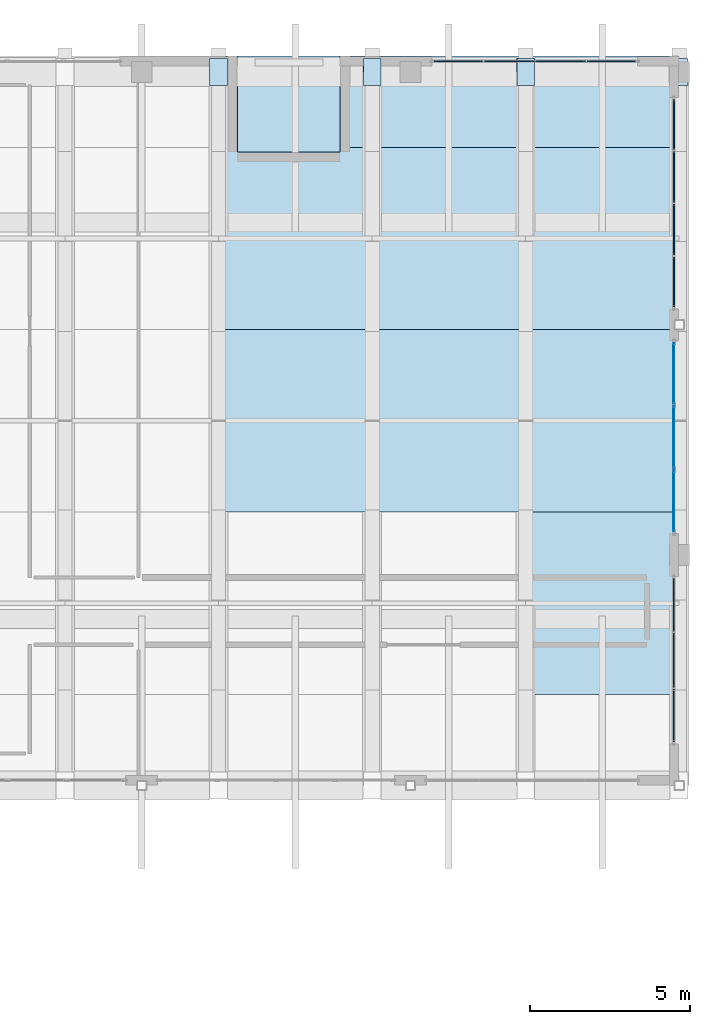
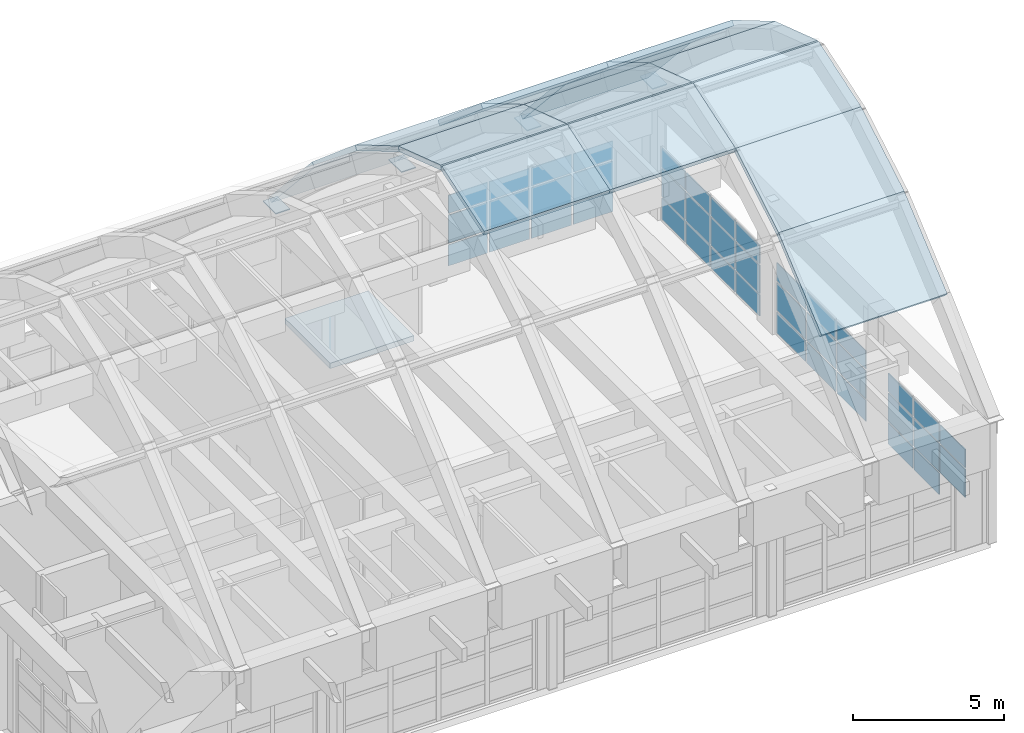
# One storey, part 60 of 78: 45 plates, 18 slabs, 4 elements without a shape of their own.
"""IFC4 building model written with IfcOpenShell, lengths in metres."""

from ifc_helpers import new_model, si_unit, direction, frame, origin, origin_2d, place, context, subcontext, project, spatial, polyline, rectangle, outline, extrude, material, layer, layer_set, type_object, element, aggregate, save


model = new_model("IFC4")

# Units and contexts
model_context = context("Model", 3, precision=1e-05, world=origin(), true_north=direction((0.0, 1.0)))
body_context = subcontext(model_context, "Body", "Model", "MODEL_VIEW")
ifc_project = project(units=[si_unit("LENGTHUNIT", "METRE"), si_unit("AREAUNIT", "SQUARE_METRE"), si_unit("VOLUMEUNIT", "CUBIC_METRE"), si_unit("PLANEANGLEUNIT", "RADIAN"), si_unit("MASSUNIT", "GRAM", prefix="KILO")], contexts=[model_context])

# Site, building, storey
site_placement = place(None, origin())
site = spatial("IfcSite", under=ifc_project, at=site_placement, CompositionType="ELEMENT")
building_placement = place(site_placement, origin())
building = spatial("IfcBuilding", under=site, at=building_placement, Name="Quendrovan Civic Courthouse", CompositionType="ELEMENT")
storey_placement = place(building_placement, frame((0.0, 0.0, 20.39990234375)))
storey = spatial("IfcBuildingStorey", under=building, at=storey_placement, Name="L05", CompositionType="ELEMENT", Elevation=20.39990234375)

# Curtain wall, plates
ifc_material_1 = material(Name="Bronze anodised aluminium and low-E glass", Category="aluminium")
ifc_layer_1 = layer(ifc_material_1, 0.179931640625, Name="Bronze anodised aluminium and low-E glass")
ifc_layer_set_1 = layer_set([ifc_layer_1], Name="Bronze anodised aluminium and low-E glass")
curtain_wall_type_1 = type_object("IfcCurtainWallType", Name="CW-U60x30", PredefinedType="USERDEFINED", material=ifc_layer_set_1)
curtain_wall_1_placement = place(storey_placement, origin())
curtain_wall_1 = element("IfcCurtainWall", 1, at=curtain_wall_1_placement, inside=storey, type_object=curtain_wall_type_1, Name="L05 Unitised Hurricane Curtain Wall CW-196", ObjectType="UNITISED CURTAIN WALL", PredefinedType="USERDEFINED")
ifc_material_2 = material(Name="Laminated hurricane-impact low-E glass", Category="glass")
ifc_layer_2 = layer(ifc_material_2, 0.028076171875, Name="Laminated hurricane-impact low-E glass")
ifc_layer_set_2 = layer_set([ifc_layer_2], Name="Laminated hurricane-impact low-E glass")
plate_type_1 = type_object("IfcPlateType", Name="CW-PNL-1", PredefinedType="CURTAIN_PANEL", material=ifc_layer_set_2)
plate_1_placement = place(storey_placement, frame((142.635009765625, 100.478271484375, 0.0703125), z_axis=(0.0, 0.0, 1.0), x_axis=(0.0, -1.0, 0.0)))
plate_1 = element("IfcPlate", 2, at=plate_1_placement, type_object=plate_type_1, Name="CW-196 panel 1.1", PredefinedType="CURTAIN_PANEL", context=body_context, shape_type="SweptSolid", body=[
    extrude(rectangle(XDim=1.9033203125, YDim=0.028076171875, at=origin_2d()), origin(), (0.0, 0.0, 1.0), 0.844970703125),
])
plate_2_placement = place(storey_placement, frame((142.635009765625, 100.478271484375, 0.985107421875), z_axis=(0.0, 0.0, 1.0), x_axis=(0.0, -1.0, 0.0)))
plate_2 = element("IfcPlate", 3, at=plate_2_placement, type_object=plate_type_1, Name="CW-196 panel 1.2", PredefinedType="CURTAIN_PANEL", context=body_context, shape_type="SweptSolid", body=[
    extrude(rectangle(XDim=1.9033203125, YDim=0.028076171875, at=origin_2d()), origin(), (0.0, 0.0, 1.0), 1.1298828125),
])
plate_3_placement = place(storey_placement, frame((142.635009765625, 100.478271484375, 2.18505859375), z_axis=(0.0, 0.0, 1.0), x_axis=(0.0, -1.0, 0.0)))
plate_3 = element("IfcPlate", 4, at=plate_3_placement, type_object=plate_type_1, Name="CW-196 panel 1.3", PredefinedType="CURTAIN_PANEL", context=body_context, shape_type="SweptSolid", body=[
    extrude(rectangle(XDim=1.9033203125, YDim=0.028076171875, at=origin_2d()), origin(), (0.0, 0.0, 1.0), 0.735107421875),
])
plate_4_placement = place(storey_placement, frame((142.635009765625, 98.487548828125, 0.0703125), z_axis=(0.0, 0.0, 1.0), x_axis=(0.0, -1.0, 0.0)))
plate_4 = element("IfcPlate", 5, at=plate_4_placement, type_object=plate_type_1, Name="CW-196 panel 2.1", PredefinedType="CURTAIN_PANEL", context=body_context, shape_type="SweptSolid", body=[
    extrude(rectangle(XDim=1.938232421875, YDim=0.028076171875, at=origin_2d()), origin(), (0.0, 0.0, 1.0), 0.844970703125),
])
plate_5_placement = place(storey_placement, frame((142.635009765625, 98.487548828125, 0.985107421875), z_axis=(0.0, 0.0, 1.0), x_axis=(0.0, -1.0, 0.0)))
plate_5 = element("IfcPlate", 6, at=plate_5_placement, type_object=plate_type_1, Name="CW-196 panel 2.2", PredefinedType="CURTAIN_PANEL", context=body_context, shape_type="SweptSolid", body=[
    extrude(rectangle(XDim=1.938232421875, YDim=0.028076171875, at=origin_2d()), origin(), (0.0, 0.0, 1.0), 1.1298828125),
])
plate_6_placement = place(storey_placement, frame((142.635009765625, 98.487548828125, 2.18505859375), z_axis=(0.0, 0.0, 1.0), x_axis=(0.0, -1.0, 0.0)))
plate_6 = element("IfcPlate", 7, at=plate_6_placement, type_object=plate_type_1, Name="CW-196 panel 2.3", PredefinedType="CURTAIN_PANEL", context=body_context, shape_type="SweptSolid", body=[
    extrude(rectangle(XDim=1.938232421875, YDim=0.028076171875, at=origin_2d()), origin(), (0.0, 0.0, 1.0), 0.735107421875),
])
plate_7_placement = place(storey_placement, frame((142.635009765625, 96.49658203125, 0.0703125), z_axis=(0.0, 0.0, 1.0), x_axis=(0.0, -1.0, 0.0)))
plate_7 = element("IfcPlate", 8, at=plate_7_placement, type_object=plate_type_1, Name="CW-196 panel 3.1", PredefinedType="CURTAIN_PANEL", context=body_context, shape_type="SweptSolid", body=[
    extrude(rectangle(XDim=1.9033203125, YDim=0.028076171875, at=origin_2d()), origin(), (0.0, 0.0, 1.0), 0.844970703125),
])
plate_8_placement = place(storey_placement, frame((142.635009765625, 96.49658203125, 0.985107421875), z_axis=(0.0, 0.0, 1.0), x_axis=(0.0, -1.0, 0.0)))
plate_8 = element("IfcPlate", 9, at=plate_8_placement, type_object=plate_type_1, Name="CW-196 panel 3.2", PredefinedType="CURTAIN_PANEL", context=body_context, shape_type="SweptSolid", body=[
    extrude(rectangle(XDim=1.9033203125, YDim=0.028076171875, at=origin_2d()), origin(), (0.0, 0.0, 1.0), 1.1298828125),
])
plate_9_placement = place(storey_placement, frame((142.635009765625, 96.49658203125, 2.18505859375), z_axis=(0.0, 0.0, 1.0), x_axis=(0.0, -1.0, 0.0)))
plate_9 = element("IfcPlate", 10, at=plate_9_placement, type_object=plate_type_1, Name="CW-196 panel 3.3", PredefinedType="CURTAIN_PANEL", context=body_context, shape_type="SweptSolid", body=[
    extrude(rectangle(XDim=1.9033203125, YDim=0.028076171875, at=origin_2d()), origin(), (0.0, 0.0, 1.0), 0.735107421875),
])
aggregate(curtain_wall_1, [plate_1, plate_2, plate_3, plate_4, plate_5, plate_6, plate_7, plate_8, plate_9])

ifc_layer_3 = layer(ifc_material_1, 0.179931640625, Name="Bronze anodised aluminium and low-E glass")
ifc_layer_set_3 = layer_set([ifc_layer_3], Name="Bronze anodised aluminium and low-E glass")
curtain_wall_type_2 = type_object("IfcCurtainWallType", Name="CW-U52x30", PredefinedType="USERDEFINED", material=ifc_layer_set_3)
curtain_wall_2_placement = place(storey_placement, origin())
curtain_wall_2 = element("IfcCurtainWall", 11, at=curtain_wall_2_placement, inside=storey, type_object=curtain_wall_type_2, Name="L05 Unitised Hurricane Curtain Wall CW-197", ObjectType="UNITISED CURTAIN WALL", PredefinedType="USERDEFINED")
ifc_layer_4 = layer(ifc_material_2, 0.031982421875, Name="Laminated hurricane-impact low-E glass")
ifc_layer_set_4 = layer_set([ifc_layer_4], Name="Laminated hurricane-impact low-E glass")
plate_type_2 = type_object("IfcPlateType", Name="CW-PNL-2", PredefinedType="CURTAIN_PANEL", material=ifc_layer_set_4)
plate_10_placement = place(storey_placement, frame((142.635009765625, 93.238037109375, 0.065185546875), z_axis=(0.0, 0.0, 1.0), x_axis=(0.0, -1.0, 0.0)))
plate_10 = element("IfcPlate", 12, at=plate_10_placement, type_object=plate_type_2, Name="CW-197 panel 1.1", PredefinedType="CURTAIN_PANEL", context=body_context, shape_type="SweptSolid", body=[
    extrude(rectangle(XDim=1.644287109375, YDim=0.031982421875, at=origin_2d()), origin(), (0.0, 0.0, 1.0), 0.8525390625),
])
plate_11_placement = place(storey_placement, frame((142.635009765625, 93.238037109375, 0.982421875), z_axis=(0.0, 0.0, 1.0), x_axis=(0.0, -1.0, 0.0)))
plate_11 = element("IfcPlate", 13, at=plate_11_placement, type_object=plate_type_2, Name="CW-197 panel 1.2", PredefinedType="CURTAIN_PANEL", context=body_context, shape_type="SweptSolid", body=[
    extrude(rectangle(XDim=1.644287109375, YDim=0.031982421875, at=origin_2d()), origin(), (0.0, 0.0, 1.0), 1.135009765625),
])
plate_12_placement = place(storey_placement, frame((142.635009765625, 93.238037109375, 2.1826171875), z_axis=(0.0, 0.0, 1.0), x_axis=(0.0, -1.0, 0.0)))
plate_12 = element("IfcPlate", 14, at=plate_12_placement, type_object=plate_type_2, Name="CW-197 panel 1.3", PredefinedType="CURTAIN_PANEL", context=body_context, shape_type="SweptSolid", body=[
    extrude(rectangle(XDim=1.644287109375, YDim=0.031982421875, at=origin_2d()), origin(), (0.0, 0.0, 1.0), 0.742431640625),
])
plate_13_placement = place(storey_placement, frame((142.635009765625, 91.512451171875, 0.065185546875), z_axis=(0.0, 0.0, 1.0), x_axis=(0.0, -1.0, 0.0)))
plate_13 = element("IfcPlate", 15, at=plate_13_placement, type_object=plate_type_2, Name="CW-197 panel 2.1", PredefinedType="CURTAIN_PANEL", context=body_context, shape_type="SweptSolid", body=[
    extrude(rectangle(XDim=1.6767578125, YDim=0.031982421875, at=origin_2d()), origin(), (0.0, 0.0, 1.0), 0.8525390625),
])
plate_14_placement = place(storey_placement, frame((142.635009765625, 91.512451171875, 0.982421875), z_axis=(0.0, 0.0, 1.0), x_axis=(0.0, -1.0, 0.0)))
plate_14 = element("IfcPlate", 16, at=plate_14_placement, type_object=plate_type_2, Name="CW-197 panel 2.2", PredefinedType="CURTAIN_PANEL", context=body_context, shape_type="SweptSolid", body=[
    extrude(rectangle(XDim=1.6767578125, YDim=0.031982421875, at=origin_2d()), origin(), (0.0, 0.0, 1.0), 1.135009765625),
])
plate_15_placement = place(storey_placement, frame((142.635009765625, 91.512451171875, 2.1826171875), z_axis=(0.0, 0.0, 1.0), x_axis=(0.0, -1.0, 0.0)))
plate_15 = element("IfcPlate", 17, at=plate_15_placement, type_object=plate_type_2, Name="CW-197 panel 2.3", PredefinedType="CURTAIN_PANEL", context=body_context, shape_type="SweptSolid", body=[
    extrude(rectangle(XDim=1.6767578125, YDim=0.031982421875, at=origin_2d()), origin(), (0.0, 0.0, 1.0), 0.742431640625),
])
plate_16_placement = place(storey_placement, frame((142.635009765625, 89.787109375, 0.982421875), z_axis=(0.0, 0.0, 1.0), x_axis=(0.0, -1.0, 0.0)))
plate_16 = element("IfcPlate", 18, at=plate_16_placement, type_object=plate_type_2, Name="CW-197 panel 3.2", PredefinedType="CURTAIN_PANEL", context=body_context, shape_type="SweptSolid", body=[
    extrude(rectangle(XDim=1.644287109375, YDim=0.031982421875, at=origin_2d()), origin(), (0.0, 0.0, 1.0), 1.135009765625),
])
plate_17_placement = place(storey_placement, frame((142.635009765625, 89.787109375, 2.1826171875), z_axis=(0.0, 0.0, 1.0), x_axis=(0.0, -1.0, 0.0)))
plate_17 = element("IfcPlate", 19, at=plate_17_placement, type_object=plate_type_2, Name="CW-197 panel 3.3", PredefinedType="CURTAIN_PANEL", context=body_context, shape_type="SweptSolid", body=[
    extrude(rectangle(XDim=1.644287109375, YDim=0.031982421875, at=origin_2d()), origin(), (0.0, 0.0, 1.0), 0.742431640625),
])
aggregate(curtain_wall_2, [plate_10, plate_11, plate_12, plate_13, plate_14, plate_15, plate_16, plate_17])

ifc_layer_5 = layer(ifc_material_1, 0.179931640625, Name="Bronze anodised aluminium and low-E glass")
ifc_layer_set_5 = layer_set([ifc_layer_5], Name="Bronze anodised aluminium and low-E glass")
curtain_wall_type_3 = type_object("IfcCurtainWallType", Name="CW-U64x30", PredefinedType="USERDEFINED", material=ifc_layer_set_5)
curtain_wall_3_placement = place(storey_placement, origin())
curtain_wall_3 = element("IfcCurtainWall", 20, at=curtain_wall_3_placement, inside=storey, type_object=curtain_wall_type_3, Name="L05 Unitised Hurricane Curtain Wall CW-194", ObjectType="UNITISED CURTAIN WALL", PredefinedType="USERDEFINED")
ifc_layer_6 = layer(ifc_material_2, 0.035888671875, Name="Laminated hurricane-impact low-E glass")
ifc_layer_set_6 = layer_set([ifc_layer_6], Name="Laminated hurricane-impact low-E glass")
plate_type_3 = type_object("IfcPlateType", Name="CW-PNL-3", PredefinedType="CURTAIN_PANEL", material=ifc_layer_set_6)
plate_18_placement = place(storey_placement, frame((135.8955078125, 110.235107421875, 0.0703125), z_axis=(0.0, 0.0, 1.0), x_axis=(1.0, 0.0, 0.0)))
plate_18 = element("IfcPlate", 21, at=plate_18_placement, type_object=plate_type_3, Name="CW-194 panel 1.1", PredefinedType="CURTAIN_PANEL", context=body_context, shape_type="SweptSolid", body=[
    extrude(rectangle(XDim=1.501220703125, YDim=0.035888671875, at=origin_2d()), origin(), (0.0, 0.0, 1.0), 0.844970703125),
])
plate_19_placement = place(storey_placement, frame((135.8955078125, 110.235107421875, 0.985107421875), z_axis=(0.0, 0.0, 1.0), x_axis=(1.0, 0.0, 0.0)))
plate_19 = element("IfcPlate", 22, at=plate_19_placement, type_object=plate_type_3, Name="CW-194 panel 1.2", PredefinedType="CURTAIN_PANEL", context=body_context, shape_type="SweptSolid", body=[
    extrude(rectangle(XDim=1.501220703125, YDim=0.035888671875, at=origin_2d()), origin(), (0.0, 0.0, 1.0), 1.1298828125),
])
plate_20_placement = place(storey_placement, frame((135.8955078125, 110.235107421875, 2.18505859375), z_axis=(0.0, 0.0, 1.0), x_axis=(1.0, 0.0, 0.0)))
plate_20 = element("IfcPlate", 23, at=plate_20_placement, type_object=plate_type_3, Name="CW-194 panel 1.3", PredefinedType="CURTAIN_PANEL", context=body_context, shape_type="SweptSolid", body=[
    extrude(rectangle(XDim=1.501220703125, YDim=0.035888671875, at=origin_2d()), origin(), (0.0, 0.0, 1.0), 0.735107421875),
])
plate_21_placement = place(storey_placement, frame((137.484375, 110.235107421875, 0.0703125), z_axis=(0.0, 0.0, 1.0), x_axis=(1.0, 0.0, 0.0)))
plate_21 = element("IfcPlate", 24, at=plate_21_placement, type_object=plate_type_3, Name="CW-194 panel 2.1", PredefinedType="CURTAIN_PANEL", context=body_context, shape_type="SweptSolid", body=[
    extrude(rectangle(XDim=1.5361328125, YDim=0.035888671875, at=origin_2d()), origin(), (0.0, 0.0, 1.0), 0.844970703125),
])
plate_22_placement = place(storey_placement, frame((137.484375, 110.235107421875, 0.985107421875), z_axis=(0.0, 0.0, 1.0), x_axis=(1.0, 0.0, 0.0)))
plate_22 = element("IfcPlate", 25, at=plate_22_placement, type_object=plate_type_3, Name="CW-194 panel 2.2", PredefinedType="CURTAIN_PANEL", context=body_context, shape_type="SweptSolid", body=[
    extrude(rectangle(XDim=1.5361328125, YDim=0.035888671875, at=origin_2d()), origin(), (0.0, 0.0, 1.0), 1.1298828125),
])
plate_23_placement = place(storey_placement, frame((137.484375, 110.235107421875, 2.18505859375), z_axis=(0.0, 0.0, 1.0), x_axis=(1.0, 0.0, 0.0)))
plate_23 = element("IfcPlate", 26, at=plate_23_placement, type_object=plate_type_3, Name="CW-194 panel 2.3", PredefinedType="CURTAIN_PANEL", context=body_context, shape_type="SweptSolid", body=[
    extrude(rectangle(XDim=1.5361328125, YDim=0.035888671875, at=origin_2d()), origin(), (0.0, 0.0, 1.0), 0.735107421875),
])
plate_24_placement = place(storey_placement, frame((139.090576171875, 110.235107421875, 0.0703125), z_axis=(0.0, 0.0, 1.0), x_axis=(1.0, 0.0, 0.0)))
plate_24 = element("IfcPlate", 27, at=plate_24_placement, type_object=plate_type_3, Name="CW-194 panel 3.1", PredefinedType="CURTAIN_PANEL", context=body_context, shape_type="SweptSolid", body=[
    extrude(rectangle(XDim=1.5361328125, YDim=0.035888671875, at=origin_2d()), origin(), (0.0, 0.0, 1.0), 0.844970703125),
])
plate_25_placement = place(storey_placement, frame((139.090576171875, 110.235107421875, 0.985107421875), z_axis=(0.0, 0.0, 1.0), x_axis=(1.0, 0.0, 0.0)))
plate_25 = element("IfcPlate", 28, at=plate_25_placement, type_object=plate_type_3, Name="CW-194 panel 3.2", PredefinedType="CURTAIN_PANEL", context=body_context, shape_type="SweptSolid", body=[
    extrude(rectangle(XDim=1.5361328125, YDim=0.035888671875, at=origin_2d()), origin(), (0.0, 0.0, 1.0), 1.1298828125),
])
plate_26_placement = place(storey_placement, frame((139.090576171875, 110.235107421875, 2.18505859375), z_axis=(0.0, 0.0, 1.0), x_axis=(1.0, 0.0, 0.0)))
plate_26 = element("IfcPlate", 29, at=plate_26_placement, type_object=plate_type_3, Name="CW-194 panel 3.3", PredefinedType="CURTAIN_PANEL", context=body_context, shape_type="SweptSolid", body=[
    extrude(rectangle(XDim=1.5361328125, YDim=0.035888671875, at=origin_2d()), origin(), (0.0, 0.0, 1.0), 0.735107421875),
])
plate_27_placement = place(storey_placement, frame((140.679443359375, 110.235107421875, 0.0703125), z_axis=(0.0, 0.0, 1.0), x_axis=(1.0, 0.0, 0.0)))
plate_27 = element("IfcPlate", 30, at=plate_27_placement, type_object=plate_type_3, Name="CW-194 panel 4.1", PredefinedType="CURTAIN_PANEL", context=body_context, shape_type="SweptSolid", body=[
    extrude(rectangle(XDim=1.501220703125, YDim=0.035888671875, at=origin_2d()), origin(), (0.0, 0.0, 1.0), 0.844970703125),
])
plate_28_placement = place(storey_placement, frame((140.679443359375, 110.235107421875, 0.985107421875), z_axis=(0.0, 0.0, 1.0), x_axis=(1.0, 0.0, 0.0)))
plate_28 = element("IfcPlate", 31, at=plate_28_placement, type_object=plate_type_3, Name="CW-194 panel 4.2", PredefinedType="CURTAIN_PANEL", context=body_context, shape_type="SweptSolid", body=[
    extrude(rectangle(XDim=1.501220703125, YDim=0.035888671875, at=origin_2d()), origin(), (0.0, 0.0, 1.0), 1.1298828125),
])
plate_29_placement = place(storey_placement, frame((140.679443359375, 110.235107421875, 2.18505859375), z_axis=(0.0, 0.0, 1.0), x_axis=(1.0, 0.0, 0.0)))
plate_29 = element("IfcPlate", 32, at=plate_29_placement, type_object=plate_type_3, Name="CW-194 panel 4.3", PredefinedType="CURTAIN_PANEL", context=body_context, shape_type="SweptSolid", body=[
    extrude(rectangle(XDim=1.501220703125, YDim=0.035888671875, at=origin_2d()), origin(), (0.0, 0.0, 1.0), 0.735107421875),
])
aggregate(curtain_wall_3, [plate_18, plate_19, plate_20, plate_21, plate_22, plate_23, plate_24, plate_25, plate_26, plate_27, plate_28, plate_29])

ifc_layer_7 = layer(ifc_material_1, 0.179931640625, Name="Bronze anodised aluminium and low-E glass")
ifc_layer_set_7 = layer_set([ifc_layer_7], Name="Bronze anodised aluminium and low-E glass")
curtain_wall_type_4 = type_object("IfcCurtainWallType", Name="CW-U66x30", PredefinedType="USERDEFINED", material=ifc_layer_set_7)
curtain_wall_4_placement = place(storey_placement, origin())
curtain_wall_4 = element("IfcCurtainWall", 33, at=curtain_wall_4_placement, inside=storey, type_object=curtain_wall_type_4, Name="L05 Unitised Hurricane Curtain Wall CW-195", ObjectType="UNITISED CURTAIN WALL", PredefinedType="USERDEFINED")
ifc_layer_8 = layer(ifc_material_2, 0.0419921875, Name="Laminated hurricane-impact low-E glass")
ifc_layer_set_8 = layer_set([ifc_layer_8], Name="Laminated hurricane-impact low-E glass")
plate_type_4 = type_object("IfcPlateType", Name="CW-PNL-4", PredefinedType="CURTAIN_PANEL", material=ifc_layer_set_8)
plate_30_placement = place(storey_placement, frame((142.635009765625, 108.2587890625, 0.065185546875), z_axis=(0.0, 0.0, 1.0), x_axis=(0.0, -1.0, 0.0)))
plate_30 = element("IfcPlate", 34, at=plate_30_placement, type_object=plate_type_4, Name="CW-195 panel 1.1", PredefinedType="CURTAIN_PANEL", context=body_context, shape_type="SweptSolid", body=[
    extrude(rectangle(XDim=1.552490234375, YDim=0.0419921875, at=origin_2d()), origin(), (0.0, 0.0, 1.0), 0.8525390625),
])
plate_31_placement = place(storey_placement, frame((142.635009765625, 108.2587890625, 0.982421875), z_axis=(0.0, 0.0, 1.0), x_axis=(0.0, -1.0, 0.0)))
plate_31 = element("IfcPlate", 35, at=plate_31_placement, type_object=plate_type_4, Name="CW-195 panel 1.2", PredefinedType="CURTAIN_PANEL", context=body_context, shape_type="SweptSolid", body=[
    extrude(rectangle(XDim=1.552490234375, YDim=0.0419921875, at=origin_2d()), origin(), (0.0, 0.0, 1.0), 1.135009765625),
])
plate_32_placement = place(storey_placement, frame((142.635009765625, 108.2587890625, 2.1826171875), z_axis=(0.0, 0.0, 1.0), x_axis=(0.0, -1.0, 0.0)))
plate_32 = element("IfcPlate", 36, at=plate_32_placement, type_object=plate_type_4, Name="CW-195 panel 1.3", PredefinedType="CURTAIN_PANEL", context=body_context, shape_type="SweptSolid", body=[
    extrude(rectangle(XDim=1.552490234375, YDim=0.0419921875, at=origin_2d()), origin(), (0.0, 0.0, 1.0), 0.742431640625),
])
plate_33_placement = place(storey_placement, frame((142.635009765625, 106.625, 0.065185546875), z_axis=(0.0, 0.0, 1.0), x_axis=(0.0, -1.0, 0.0)))
plate_33 = element("IfcPlate", 37, at=plate_33_placement, type_object=plate_type_4, Name="CW-195 panel 2.1", PredefinedType="CURTAIN_PANEL", context=body_context, shape_type="SweptSolid", body=[
    extrude(rectangle(XDim=1.5849609375, YDim=0.0419921875, at=origin_2d()), origin(), (0.0, 0.0, 1.0), 0.8525390625),
])
plate_34_placement = place(storey_placement, frame((142.635009765625, 106.625, 0.982421875), z_axis=(0.0, 0.0, 1.0), x_axis=(0.0, -1.0, 0.0)))
plate_34 = element("IfcPlate", 38, at=plate_34_placement, type_object=plate_type_4, Name="CW-195 panel 2.2", PredefinedType="CURTAIN_PANEL", context=body_context, shape_type="SweptSolid", body=[
    extrude(rectangle(XDim=1.5849609375, YDim=0.0419921875, at=origin_2d()), origin(), (0.0, 0.0, 1.0), 1.135009765625),
])
plate_35_placement = place(storey_placement, frame((142.635009765625, 106.625, 2.1826171875), z_axis=(0.0, 0.0, 1.0), x_axis=(0.0, -1.0, 0.0)))
plate_35 = element("IfcPlate", 39, at=plate_35_placement, type_object=plate_type_4, Name="CW-195 panel 2.3", PredefinedType="CURTAIN_PANEL", context=body_context, shape_type="SweptSolid", body=[
    extrude(rectangle(XDim=1.5849609375, YDim=0.0419921875, at=origin_2d()), origin(), (0.0, 0.0, 1.0), 0.742431640625),
])
plate_36_placement = place(storey_placement, frame((142.635009765625, 104.97509765625, 0.065185546875), z_axis=(0.0, 0.0, 1.0), x_axis=(0.0, -1.0, 0.0)))
plate_36 = element("IfcPlate", 40, at=plate_36_placement, type_object=plate_type_4, Name="CW-195 panel 3.1", PredefinedType="CURTAIN_PANEL", context=body_context, shape_type="SweptSolid", body=[
    extrude(rectangle(XDim=1.5849609375, YDim=0.0419921875, at=origin_2d()), origin(), (0.0, 0.0, 1.0), 0.8525390625),
])
plate_37_placement = place(storey_placement, frame((142.635009765625, 104.97509765625, 0.982421875), z_axis=(0.0, 0.0, 1.0), x_axis=(0.0, -1.0, 0.0)))
plate_37 = element("IfcPlate", 41, at=plate_37_placement, type_object=plate_type_4, Name="CW-195 panel 3.2", PredefinedType="CURTAIN_PANEL", context=body_context, shape_type="SweptSolid", body=[
    extrude(rectangle(XDim=1.5849609375, YDim=0.0419921875, at=origin_2d()), origin(), (0.0, 0.0, 1.0), 1.135009765625),
])
plate_38_placement = place(storey_placement, frame((142.635009765625, 104.97509765625, 2.1826171875), z_axis=(0.0, 0.0, 1.0), x_axis=(0.0, -1.0, 0.0)))
plate_38 = element("IfcPlate", 42, at=plate_38_placement, type_object=plate_type_4, Name="CW-195 panel 3.3", PredefinedType="CURTAIN_PANEL", context=body_context, shape_type="SweptSolid", body=[
    extrude(rectangle(XDim=1.5849609375, YDim=0.0419921875, at=origin_2d()), origin(), (0.0, 0.0, 1.0), 0.742431640625),
])
plate_39_placement = place(storey_placement, frame((142.635009765625, 103.34130859375, 0.065185546875), z_axis=(0.0, 0.0, 1.0), x_axis=(0.0, -1.0, 0.0)))
plate_39 = element("IfcPlate", 43, at=plate_39_placement, type_object=plate_type_4, Name="CW-195 panel 4.1", PredefinedType="CURTAIN_PANEL", context=body_context, shape_type="SweptSolid", body=[
    extrude(rectangle(XDim=1.552490234375, YDim=0.0419921875, at=origin_2d()), origin(), (0.0, 0.0, 1.0), 0.8525390625),
])
plate_40_placement = place(storey_placement, frame((142.635009765625, 103.34130859375, 0.982421875), z_axis=(0.0, 0.0, 1.0), x_axis=(0.0, -1.0, 0.0)))
plate_40 = element("IfcPlate", 44, at=plate_40_placement, type_object=plate_type_4, Name="CW-195 panel 4.2", PredefinedType="CURTAIN_PANEL", context=body_context, shape_type="SweptSolid", body=[
    extrude(rectangle(XDim=1.552490234375, YDim=0.0419921875, at=origin_2d()), origin(), (0.0, 0.0, 1.0), 1.135009765625),
])
plate_41_placement = place(storey_placement, frame((142.635009765625, 103.34130859375, 2.1826171875), z_axis=(0.0, 0.0, 1.0), x_axis=(0.0, -1.0, 0.0)))
plate_41 = element("IfcPlate", 45, at=plate_41_placement, type_object=plate_type_4, Name="CW-195 panel 4.3", PredefinedType="CURTAIN_PANEL", context=body_context, shape_type="SweptSolid", body=[
    extrude(rectangle(XDim=1.552490234375, YDim=0.0419921875, at=origin_2d()), origin(), (0.0, 0.0, 1.0), 0.742431640625),
])
aggregate(curtain_wall_4, [plate_30, plate_31, plate_32, plate_33, plate_34, plate_35, plate_36, plate_37, plate_38, plate_39, plate_40, plate_41])

# Plates
ifc_material_3 = material(Name="Steel ASTM A572 Grade 50", Category="steel")
ifc_layer_9 = layer(ifc_material_3, 0.0400390625, Name="Steel ASTM A572 Grade 50")
ifc_layer_set_9 = layer_set([ifc_layer_9], Name="Steel ASTM A572 Grade 50")
plate_type_5 = type_object("IfcPlateType", Name="PLT-BASE-40", PredefinedType="USERDEFINED", material=ifc_layer_set_9)
for number, where, z_axis, x_axis, name in (
    (46, (128.39990234375, 109.89990234375, 5.06005859375), (0.0, 0.0, 1.0), (1.0, 0.0, 0.0), "BV1 Vault Springing Bearing Plate A5-N"),
    (47, (133.199951171875, 109.89990234375, 5.06005859375), (0.0, 0.0, 1.0), (1.0, 0.0, 0.0), "BV1 Vault Springing Bearing Plate A6-N"),
    (48, (138.0, 109.89990234375, 5.06005859375), (0.0, 0.0, 1.0), (1.0, 0.0, 0.0), "BV1 Vault Springing Bearing Plate A7-N"),
    (49, (142.800048828125, 109.89990234375, 5.06005859375), (0.0, 0.0, 1.0), (1.0, 0.0, 0.0), "BV1 Vault Springing Bearing Plate A8-N"),
):
    element("IfcPlate", number, at=place(storey_placement, frame(where, z_axis=z_axis, x_axis=x_axis)), inside=storey, type_object=plate_type_5, Name=name, ObjectType="BASE PLATE", PredefinedType="USERDEFINED", context=body_context, shape_type="SweptSolid", body=[
        extrude(rectangle(XDim=0.550048828125, YDim=0.85009765625, at=origin_2d()), origin(), (0.0, 0.0, 1.0), 0.0400390625),
    ])

# Slabs
ifc_material_4 = material(Name="Concrete C40/50", Category="concrete")
ifc_layer_10 = layer(ifc_material_4, 0.219970703125, Name="Concrete C40/50")
ifc_layer_set_10 = layer_set([ifc_layer_10], Name="Concrete C40/50")
slab_type_1 = type_object("IfcSlabType", Name="SLB-RC-220", PredefinedType="ROOF", material=ifc_layer_set_10)
slab_1_placement = place(storey_placement, frame((0.0, 0.0, -0.219970703125)))
element("IfcSlab", 50, at=slab_1_placement, inside=storey, type_object=slab_type_1, Name="L05 Step-Back Structural Roof Slab SLB-ROOF-L05-20", PredefinedType="ROOF", context=body_context, shape_type="SweptSolid", body=[
    extrude(outline(polyline([(132.199951171875, 110.39990234375), (132.199951171875, 107.39990234375), (129.0, 107.39990234375), (129.0, 110.39990234375), (132.199951171875, 110.39990234375)])), origin(), (0.0, 0.0, 1.0), 0.219970703125),
])
ifc_layer_11 = layer(ifc_material_4, 0.199951171875, Name="Concrete C40/50")
ifc_layer_set_11 = layer_set([ifc_layer_11], Name="Concrete C40/50")
slab_type_2 = type_object("IfcSlabType", Name="SLB-VAULT-200", PredefinedType="ROOF", material=ifc_layer_set_11)
for number, where, z_axis, x_axis, name in (
    (51, (128.39990234375, 96.14990234375, 12.357177734375), (0.0, -0.315437622142, 0.948946313833), (1.0, 0.0, 0.0), "BV1 Concrete Barrel Vault Shell Panel B5-C4"),
    (52, (128.39990234375, 99.034912109375, 13.29296875), (0.0, 0.315437622142, 0.948946313833), (1.0, 0.0, 0.0), "BV1 Concrete Barrel Vault Shell Panel B5-C5"),
):
    element("IfcSlab", number, at=place(storey_placement, frame(where, z_axis=z_axis, x_axis=x_axis)), inside=storey, type_object=slab_type_2, Name=name, PredefinedType="ROOF", context=body_context, shape_type="SweptSolid", body=[
        extrude(outline(polyline([(0.0, 0.0), (4.800048828125, 0.0), (4.800048828125, 2.9666436402538077), (0.0, 2.9666436402538077), (0.0, 0.0)])), origin(), (0.0, 0.0, -1.0), 0.199951171875),
    ])
slab_2_placement = place(storey_placement, frame((128.39990234375, 101.85009765625, 12.357177734375), z_axis=(0.0, 0.508090296154, 0.861303808743), x_axis=(1.0, 0.0, 0.0)))
element("IfcSlab", 53, at=slab_2_placement, inside=storey, type_object=slab_type_2, Name="BV1 Concrete Barrel Vault Shell Panel B5-C6", PredefinedType="ROOF", context=body_context, shape_type="SweptSolid", body=[
    extrude(outline(polyline([(0.0, 0.0), (4.800048828125, 0.0), (4.800048828125, 3.30876687958162), (0.0, 3.30876687958162), (0.0, 0.0)])), origin(), (0.0, 0.0, -1.0), 0.199951171875),
])
slab_3_placement = place(storey_placement, frame((128.39990234375, 104.699951171875, 10.676025390625), z_axis=(0.0, 0.647083303495, 0.762419306116), x_axis=(1.0, 0.0, 0.0)))
element("IfcSlab", 54, at=slab_3_placement, inside=storey, type_object=slab_type_2, Name="BV1 Concrete Barrel Vault Shell Panel B5-C7", PredefinedType="ROOF", context=body_context, shape_type="SweptSolid", body=[
    extrude(outline(polyline([(0.0, 0.0), (4.800048828125, 0.0), (4.800048828125, 3.7382286012264507), (0.0, 3.7382286012264507), (0.0, 0.0)])), origin(), (0.0, 0.0, -1.0), 0.199951171875),
])
slab_4_placement = place(storey_placement, frame((128.39990234375, 107.550048828125, 8.257080078125), z_axis=(0.0, 0.742291438004, 0.670077175456), x_axis=(1.0, 0.0, 0.0)))
element("IfcSlab", 55, at=slab_4_placement, inside=storey, type_object=slab_type_2, Name="BV1 Concrete Barrel Vault Shell Panel B5-C8", PredefinedType="ROOF", context=body_context, shape_type="SweptSolid", body=[
    extrude(outline(polyline([(0.0, 0.0), (4.800048828125, 0.0), (4.800048828125, 4.253022815897878), (0.0, 4.253022815897878), (0.0, 0.0)])), origin(), (0.0, 0.0, -1.0), 0.199951171875),
])
for number, where, z_axis, x_axis, name in (
    (56, (133.199951171875, 96.14990234375, 12.357177734375), (0.0, -0.315437622142, 0.948946313833), (1.0, 0.0, 0.0), "BV1 Concrete Barrel Vault Shell Panel B6-C4"),
    (57, (133.199951171875, 99.034912109375, 13.29296875), (0.0, 0.315437622142, 0.948946313833), (1.0, 0.0, 0.0), "BV1 Concrete Barrel Vault Shell Panel B6-C5"),
):
    element("IfcSlab", number, at=place(storey_placement, frame(where, z_axis=z_axis, x_axis=x_axis)), inside=storey, type_object=slab_type_2, Name=name, PredefinedType="ROOF", context=body_context, shape_type="SweptSolid", body=[
        extrude(outline(polyline([(0.0, 0.0), (4.800048828125, 0.0), (4.800048828125, 2.9666436402538077), (0.0, 2.9666436402538077), (0.0, 0.0)])), origin(), (0.0, 0.0, -1.0), 0.199951171875),
    ])
slab_5_placement = place(storey_placement, frame((133.199951171875, 101.85009765625, 12.357177734375), z_axis=(0.0, 0.508090296154, 0.861303808743), x_axis=(1.0, 0.0, 0.0)))
element("IfcSlab", 58, at=slab_5_placement, inside=storey, type_object=slab_type_2, Name="BV1 Concrete Barrel Vault Shell Panel B6-C6", PredefinedType="ROOF", context=body_context, shape_type="SweptSolid", body=[
    extrude(outline(polyline([(0.0, 0.0), (4.800048828125, 0.0), (4.800048828125, 3.30876687958162), (0.0, 3.30876687958162), (0.0, 0.0)])), origin(), (0.0, 0.0, -1.0), 0.199951171875),
])
slab_6_placement = place(storey_placement, frame((133.199951171875, 104.699951171875, 10.676025390625), z_axis=(0.0, 0.647083303495, 0.762419306116), x_axis=(1.0, 0.0, 0.0)))
element("IfcSlab", 59, at=slab_6_placement, inside=storey, type_object=slab_type_2, Name="BV1 Concrete Barrel Vault Shell Panel B6-C7", PredefinedType="ROOF", context=body_context, shape_type="SweptSolid", body=[
    extrude(outline(polyline([(0.0, 0.0), (4.800048828125, 0.0), (4.800048828125, 3.7382286012264507), (0.0, 3.7382286012264507), (0.0, 0.0)])), origin(), (0.0, 0.0, -1.0), 0.199951171875),
])
slab_7_placement = place(storey_placement, frame((133.199951171875, 107.550048828125, 8.257080078125), z_axis=(0.0, 0.742291438004, 0.670077175456), x_axis=(1.0, 0.0, 0.0)))
element("IfcSlab", 60, at=slab_7_placement, inside=storey, type_object=slab_type_2, Name="BV1 Concrete Barrel Vault Shell Panel B6-C8", PredefinedType="ROOF", context=body_context, shape_type="SweptSolid", body=[
    extrude(outline(polyline([(0.0, 0.0), (4.800048828125, 0.0), (4.800048828125, 4.253022815897878), (0.0, 4.253022815897878), (0.0, 0.0)])), origin(), (0.0, 0.0, -1.0), 0.199951171875),
])
slab_8_placement = place(storey_placement, frame((138.0, 90.449951171875, 8.257080078125), z_axis=(0.0, -0.647083303495, 0.762419306116), x_axis=(1.0, 0.0, 0.0)))
element("IfcSlab", 61, at=slab_8_placement, inside=storey, type_object=slab_type_2, Name="BV1 Concrete Barrel Vault Shell Panel B7-C2", PredefinedType="ROOF", context=body_context, shape_type="SweptSolid", body=[
    extrude(outline(polyline([(0.0, 0.0), (4.800048828125, 0.0), (4.800048828125, 3.7382286012264507), (0.0, 3.7382286012264507), (0.0, 0.0)])), origin(), (0.0, 0.0, -1.0), 0.199951171875),
])
slab_9_placement = place(storey_placement, frame((138.0, 93.300048828125, 10.676025390625), z_axis=(0.0, -0.508090296154, 0.861303808743), x_axis=(1.0, 0.0, 0.0)))
element("IfcSlab", 62, at=slab_9_placement, inside=storey, type_object=slab_type_2, Name="BV1 Concrete Barrel Vault Shell Panel B7-C3", PredefinedType="ROOF", context=body_context, shape_type="SweptSolid", body=[
    extrude(outline(polyline([(0.0, 0.0), (4.800048828125, 0.0), (4.800048828125, 3.30876687958162), (0.0, 3.30876687958162), (0.0, 0.0)])), origin(), (0.0, 0.0, -1.0), 0.199951171875),
])
for number, where, z_axis, x_axis, name in (
    (63, (138.0, 96.14990234375, 12.357177734375), (0.0, -0.315437622142, 0.948946313833), (1.0, 0.0, 0.0), "BV1 Concrete Barrel Vault Shell Panel B7-C4"),
    (64, (138.0, 99.034912109375, 13.29296875), (0.0, 0.315437622142, 0.948946313833), (1.0, 0.0, 0.0), "BV1 Concrete Barrel Vault Shell Panel B7-C5"),
):
    element("IfcSlab", number, at=place(storey_placement, frame(where, z_axis=z_axis, x_axis=x_axis)), inside=storey, type_object=slab_type_2, Name=name, PredefinedType="ROOF", context=body_context, shape_type="SweptSolid", body=[
        extrude(outline(polyline([(0.0, 0.0), (4.800048828125, 0.0), (4.800048828125, 2.9666436402538077), (0.0, 2.9666436402538077), (0.0, 0.0)])), origin(), (0.0, 0.0, -1.0), 0.199951171875),
    ])
slab_10_placement = place(storey_placement, frame((138.0, 101.85009765625, 12.357177734375), z_axis=(0.0, 0.508090296154, 0.861303808743), x_axis=(1.0, 0.0, 0.0)))
element("IfcSlab", 65, at=slab_10_placement, inside=storey, type_object=slab_type_2, Name="BV1 Concrete Barrel Vault Shell Panel B7-C6", PredefinedType="ROOF", context=body_context, shape_type="SweptSolid", body=[
    extrude(outline(polyline([(0.0, 0.0), (4.800048828125, 0.0), (4.800048828125, 3.30876687958162), (0.0, 3.30876687958162), (0.0, 0.0)])), origin(), (0.0, 0.0, -1.0), 0.199951171875),
])
slab_11_placement = place(storey_placement, frame((138.0, 104.699951171875, 10.676025390625), z_axis=(0.0, 0.647083303495, 0.762419306116), x_axis=(1.0, 0.0, 0.0)))
element("IfcSlab", 66, at=slab_11_placement, inside=storey, type_object=slab_type_2, Name="BV1 Concrete Barrel Vault Shell Panel B7-C7", PredefinedType="ROOF", context=body_context, shape_type="SweptSolid", body=[
    extrude(outline(polyline([(0.0, 0.0), (4.800048828125, 0.0), (4.800048828125, 3.7382286012264507), (0.0, 3.7382286012264507), (0.0, 0.0)])), origin(), (0.0, 0.0, -1.0), 0.199951171875),
])
slab_12_placement = place(storey_placement, frame((138.0, 107.550048828125, 8.257080078125), z_axis=(0.0, 0.742291438004, 0.670077175456), x_axis=(1.0, 0.0, 0.0)))
element("IfcSlab", 67, at=slab_12_placement, inside=storey, type_object=slab_type_2, Name="BV1 Concrete Barrel Vault Shell Panel B7-C8", PredefinedType="ROOF", context=body_context, shape_type="SweptSolid", body=[
    extrude(outline(polyline([(0.0, 0.0), (4.800048828125, 0.0), (4.800048828125, 4.253022815897878), (0.0, 4.253022815897878), (0.0, 0.0)])), origin(), (0.0, 0.0, -1.0), 0.199951171875),
])

save(model, "model.ifc")
